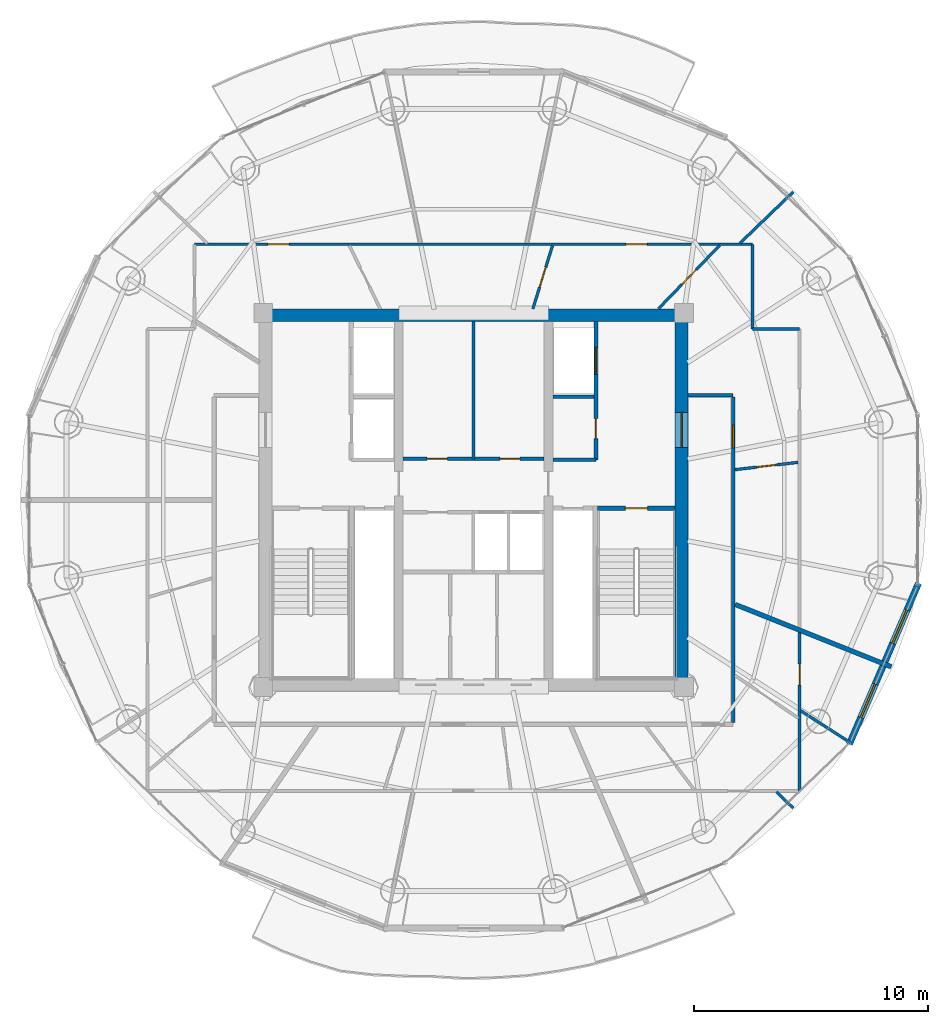
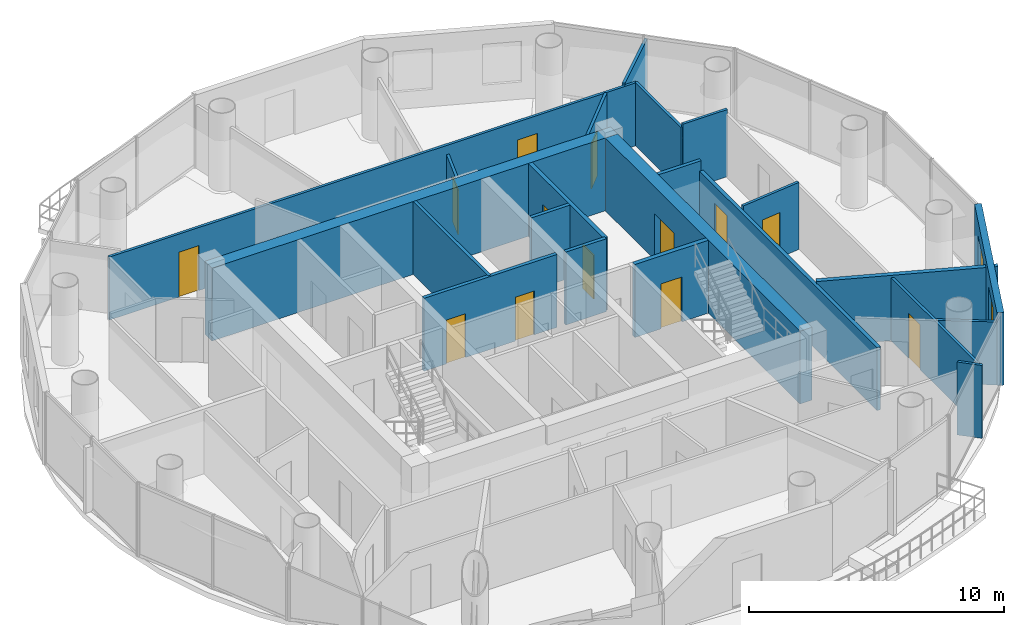
# One storey, part 20 of 24: 22 walls, 13 doors, 2 windows, 15 openings.
"""IFC4 building model written with IfcOpenShell, lengths in metres."""

from ifc_helpers import new_model, si_unit, direction, frame, frame_2d, origin, place, context, subcontext, project, spatial, rectangle, extrude, source, transform, mapped, material, layer, layer_set, type_object, element, fill, save


model = new_model("IFC4")

# Units and contexts
model_context = context("Model", 3, precision=1e-05, world=origin(), true_north=direction((-0.2419218956, 0.970295726276)))
body_context = subcontext(model_context, "Body", "Model", "MODEL_VIEW")
ifc_project = project(units=[si_unit("LENGTHUNIT", "METRE"), si_unit("AREAUNIT", "SQUARE_METRE"), si_unit("VOLUMEUNIT", "CUBIC_METRE"), si_unit("PLANEANGLEUNIT", "RADIAN"), si_unit("MASSUNIT", "GRAM", prefix="KILO")], contexts=[model_context])

# Site, building, storey
site_placement = place(None, origin())
site = spatial("IfcSite", under=ifc_project, at=site_placement, CompositionType="ELEMENT")
building_placement = place(site_placement, origin())
building = spatial("IfcBuilding", under=site, at=building_placement, Name="Cobrevalo Terracotta Tower", CompositionType="ELEMENT")
storey_placement = place(building_placement, frame((0.0, 0.0, 270.699951171875)))
storey = spatial("IfcBuildingStorey", under=building, at=storey_placement, Name="L71", CompositionType="ELEMENT", Elevation=270.699951171875)

# Wall
ifc_material_1 = material(Name="Concrete C50", Category="concrete")
ifc_layer_1 = layer(ifc_material_1, 0.550048828125)
ifc_layer_set_1 = layer_set([ifc_layer_1], Name="Concrete C50")
wall_type_1 = type_object("IfcWallType", Name="Core shear wall 550 mm Concrete C50", PredefinedType="SHEAR", material=ifc_layer_set_1)
wall_1_placement = place(storey_placement, frame((28.824951171875, 34.699951171875, 0.0), z_axis=(0.0, 0.0, 1.0), x_axis=(1.0, 0.0, 0.0)))
element("IfcWall", 1, at=wall_1_placement, inside=storey, type_object=wall_type_1, Name="L71 north core shear wall", PredefinedType="SHEAR", context=body_context, shape_type="SweptSolid", body=[
    extrude(rectangle(XDim=18.35009765625, YDim=0.550048828125, at=frame_2d((9.175048828125, 0.0))), origin(), (0.0, 0.0, 1.0), 3.489990234375),
])

# Wall, opening, door
wall_2_placement = place(storey_placement, frame((46.89990234375, 19.175048828125, 0.0), z_axis=(0.0, 0.0, 1.0), x_axis=(0.0, 1.0, 0.0)))
wall_2 = element("IfcWall", 2, at=wall_2_placement, inside=storey, type_object=wall_type_1, Name="L71 east core shear wall", PredefinedType="SHEAR", context=body_context, shape_type="SweptSolid", body=[
    extrude(rectangle(XDim=15.25, YDim=0.550048828125, at=frame_2d((7.625, 0.0))), origin(), (0.0, 0.0, 1.0), 3.489990234375),
])
opening_1_placement = place(wall_2_placement, frame((9.875, 0.0, 0.0)))
opening_1 = element("IfcOpeningElement", 3, at=opening_1_placement, cuts=wall_2, Name="Opening ID-14", PredefinedType="OPENING", context=body_context, shape_type="SweptSolid", body=[
    extrude(rectangle(XDim=1.5, YDim=2.199951171875, at=frame_2d((0.75, 1.10009765625))), frame((0.0, 0.28515625, 0.0), z_axis=(0.0, -1.0, 0.0), x_axis=(1.0, 0.0, 0.0)), (0.0, 0.0, 1.0), 0.570068359375),
])
ifc_material_2 = material(Name="Galvanized fire-rated steel", Category="steel")
door_type_1 = type_object("IfcDoorType", Name="Core cross-lobby double fire door 1500x2200 EI 90", OperationType="NOTDEFINED", PredefinedType="DOOR", material=ifc_material_2)
shared_shape_1 = source(origin(), body_context, "Body", "SweptSolid", [
    extrude(rectangle(XDim=1.5, YDim=2.199951171875, at=frame_2d((0.75, 1.10009765625))), frame((0.0, 0.02490234375, 0.0), z_axis=(0.0, -1.0, 0.0), x_axis=(1.0, 0.0, 0.0)), (0.0, 0.0, 1.0), 0.050048828125),
])
door_1_placement = place(opening_1_placement, frame((1.5, 0.0, 0.0), z_axis=(0.0, 0.0, 1.0), x_axis=(-1.0, 0.0, 0.0)))
door_1 = element("IfcDoor", 4, at=door_1_placement, inside=storey, type_object=door_type_1, Name="L71 east firefighting lobby entrance door", OperationType="DOUBLE_DOOR_SINGLE_SWING", OverallHeight=2.199951171875, OverallWidth=1.5, PredefinedType="DOOR", context=body_context, shape_type="MappedRepresentation", body=[
    mapped(shared_shape_1, transform((0.0, 0.0, 0.0), scale=1.0)),
])
fill(opening_1, door_1)

# Walls
ifc_material_3 = material(Name="Gypsum board on steel stud", Category="steel")
ifc_layer_2 = layer(ifc_material_3, 0.159912109375)
ifc_layer_set_2 = layer_set([ifc_layer_2], Name="Gypsum board on steel stud")
wall_type_2 = type_object("IfcWallType", Name="Fire-rated corridor acoustic partition wall 160 mm", PredefinedType="PARTITIONING", material=ifc_layer_set_2)
wall_3_placement = place(storey_placement, frame((41.389892578125, 31.219970703125, 0.0), z_axis=(0.0, 0.0, 1.0), x_axis=(1.0, 0.0, 0.0)))
element("IfcWall", 5, at=wall_3_placement, inside=storey, type_object=wall_type_2, Name="L71 interior partition IW-L71-FF2-M", PredefinedType="PARTITIONING", context=body_context, shape_type="SweptSolid", body=[
    extrude(rectangle(XDim=1.75, YDim=0.159912109375, at=frame_2d((0.875, 0.0))), origin(), (0.0, 0.0, 1.0), 3.489990234375),
])
wall_4_placement = place(storey_placement, frame((41.389892578125, 28.52001953125, 0.0), z_axis=(0.0, 0.0, 1.0), x_axis=(1.0, 0.0, 0.0)))
element("IfcWall", 6, at=wall_4_placement, inside=storey, type_object=wall_type_2, Name="L71 interior partition IW-L71-FF2-S", PredefinedType="PARTITIONING", context=body_context, shape_type="SweptSolid", body=[
    extrude(rectangle(XDim=1.840087890625, YDim=0.159912109375, at=frame_2d((0.919921875, 0.0))), origin(), (0.0, 0.0, 1.0), 3.489990234375),
])

# Wall, openings, doors
wall_5_placement = place(storey_placement, frame((34.989990234375, 28.56005859375, 0.0), z_axis=(0.0, 0.0, 1.0), x_axis=(1.0, 0.0, 0.0)))
wall_5 = element("IfcWall", 7, at=wall_5_placement, inside=storey, type_object=wall_type_2, Name="L71 interior partition IW-L71-LB-S", PredefinedType="PARTITIONING", context=body_context, shape_type="SweptSolid", body=[
    extrude(rectangle(XDim=6.02001953125, YDim=0.159912109375, at=frame_2d((3.010009765625, 0.0))), origin(), (0.0, 0.0, 1.0), 3.489990234375),
])
opening_2_placement = place(wall_5_placement, frame((1.02490234375, 0.0, 0.0)))
opening_2 = element("IfcOpeningElement", 8, at=opening_2_placement, cuts=wall_5, Name="Opening ID-07", PredefinedType="OPENING", context=body_context, shape_type="SweptSolid", body=[
    extrude(rectangle(XDim=0.860107421875, YDim=2.10009765625, at=frame_2d((0.43017578125, 1.050048828125))), frame((0.0, 0.08984375, 0.0), z_axis=(0.0, -1.0, 0.0), x_axis=(1.0, 0.0, 0.0)), (0.0, 0.0, 1.0), 0.179931640625),
])
opening_3_placement = place(wall_5_placement, frame((4.139892578125, 0.0, 0.0)))
opening_3 = element("IfcOpeningElement", 9, at=opening_3_placement, cuts=wall_5, Name="Opening ID-22", PredefinedType="OPENING", context=body_context, shape_type="SweptSolid", body=[
    extrude(rectangle(XDim=0.85009765625, YDim=2.10009765625, at=frame_2d((0.425048828125, 1.050048828125))), frame((0.0, 0.08984375, 0.0), z_axis=(0.0, -1.0, 0.0), x_axis=(1.0, 0.0, 0.0)), (0.0, 0.0, 1.0), 0.179931640625),
])
ifc_material_4 = material(Name="Powder-coated steel", Category="steel")
door_type_2 = type_object("IfcDoorType", Name="Riser shaft & meter closet fire access door 850x2100 EI 60", OperationType="NOTDEFINED", PredefinedType="DOOR", material=ifc_material_4)
shared_shape_2 = source(origin(), body_context, "Body", "SweptSolid", [
    extrude(rectangle(XDim=0.85009765625, YDim=2.10009765625, at=frame_2d((0.425048828125, 1.050048828125))), frame((0.0, 0.02490234375, 0.0), z_axis=(0.0, -1.0, 0.0), x_axis=(1.0, 0.0, 0.0)), (0.0, 0.0, 1.0), 0.050048828125),
])
door_2_placement = place(opening_3_placement, origin())
door_2 = element("IfcDoor", 10, at=door_2_placement, inside=storey, type_object=door_type_2, Name="L71 core service door Floor Telecom and Metering Plant", OperationType="SINGLE_SWING_RIGHT", OverallHeight=2.10009765625, OverallWidth=0.85009765625, PredefinedType="DOOR", context=body_context, shape_type="MappedRepresentation", body=[
    mapped(shared_shape_2, transform((0.0, 0.0, 0.0), scale=1.0)),
])
fill(opening_3, door_2)
ifc_material_5 = material(Name="Fire-rated moisture-sealed timber", Category="wood")
door_type_3 = type_object("IfcDoorType", Name="Core & podium fire-rated accessible WC door 860x2100 EI 60", OperationType="NOTDEFINED", PredefinedType="DOOR", material=ifc_material_5)
shared_shape_3 = source(origin(), body_context, "Body", "SweptSolid", [
    extrude(rectangle(XDim=0.860107421875, YDim=2.10009765625, at=frame_2d((0.43017578125, 1.050048828125))), frame((0.0, 0.02490234375, 0.0), z_axis=(0.0, -1.0, 0.0), x_axis=(1.0, 0.0, 0.0)), (0.0, 0.0, 1.0), 0.050048828125),
])
door_3_placement = place(opening_2_placement, origin())
door_3 = element("IfcDoor", 11, at=door_3_placement, inside=storey, type_object=door_type_3, Name="L71 core service door Core Accessible Toilet WC", OperationType="SINGLE_SWING_LEFT", OverallHeight=2.10009765625, OverallWidth=0.860107421875, PredefinedType="DOOR", context=body_context, shape_type="MappedRepresentation", body=[
    mapped(shared_shape_3, transform((0.0, 0.0, 0.0), scale=1.0)),
])
fill(opening_2, door_3)

# Wall, opening, door
wall_6_placement = place(storey_placement, frame((49.10498046875, 17.27490234375, 0.0), z_axis=(0.0, 0.0, 1.0), x_axis=(0.0, 1.0, 0.0)))
wall_6 = element("IfcWall", 12, at=wall_6_placement, inside=storey, type_object=wall_type_2, Name="L71 interior partition IW-L71-COR-E", PredefinedType="PARTITIONING", context=body_context, shape_type="SweptSolid", body=[
    extrude(rectangle(XDim=13.925048828125, YDim=0.159912109375, at=frame_2d((6.96240234375, 0.0))), origin(), (0.0, 0.0, 1.0), 3.01513671875),
])
opening_4_placement = place(wall_6_placement, frame((11.749755859375, 0.0, 0.0)))
opening_4 = element("IfcOpeningElement", 13, at=opening_4_placement, cuts=wall_6, Name="Opening ID-05", PredefinedType="OPENING", context=body_context, shape_type="SweptSolid", body=[
    extrude(rectangle(XDim=0.97998046875, YDim=2.199951171875, at=frame_2d((0.489990234375, 1.10009765625))), frame((0.0, 0.08984375, 0.0), z_axis=(0.0, -1.0, 0.0), x_axis=(1.0, 0.0, 0.0)), (0.0, 0.0, 1.0), 0.179931640625),
])
ifc_material_6 = material(Name="Solid hardwood timber", Category="wood")
door_type_4 = type_object("IfcDoorType", Name="Residence entrance fire-rated acoustic timber door 980x2200 EI 60", OperationType="NOTDEFINED", PredefinedType="DOOR", material=ifc_material_6)
shared_shape_4 = source(origin(), body_context, "Body", "SweptSolid", [
    extrude(rectangle(XDim=0.97998046875, YDim=2.199951171875, at=frame_2d((0.489990234375, 1.10009765625))), frame((0.0, 0.02490234375, 0.0), z_axis=(0.0, -1.0, 0.0), x_axis=(1.0, 0.0, 0.0)), (0.0, 0.0, 1.0), 0.050048828125),
])
door_4_placement = place(opening_4_placement, frame((0.97998046875, 0.0, 0.0), z_axis=(0.0, 0.0, 1.0), x_axis=(-1.0, 0.0, 0.0)))
door_4 = element("IfcDoor", 14, at=door_4_placement, inside=storey, type_object=door_type_4, Name="Flat L71A fire-rated apartment entrance door", OperationType="SINGLE_SWING_RIGHT", OverallHeight=2.199951171875, OverallWidth=0.97998046875, PredefinedType="DOOR", context=body_context, shape_type="MappedRepresentation", body=[
    mapped(shared_shape_4, transform((0.0, 0.0, 0.0), scale=1.0)),
])
fill(opening_4, door_4)

# Wall
wall_7_placement = place(storey_placement, frame((47.175048828125, 31.280029296875, 0.0), z_axis=(0.0, 0.0, 1.0), x_axis=(1.0, 0.0, 0.0)))
element("IfcWall", 15, at=wall_7_placement, inside=storey, type_object=wall_type_2, Name="L71 interior partition IW-L71-COR-EN-CAP", PredefinedType="PARTITIONING", context=body_context, shape_type="SweptSolid", body=[
    extrude(rectangle(XDim=1.929931640625, YDim=0.159912109375, at=frame_2d((0.96484375, 0.0))), origin(), (0.0, 0.0, 1.0), 3.489990234375),
])

# Wall, openings, doors
ifc_layer_3 = layer(ifc_material_3, 0.179931640625)
ifc_layer_set_3 = layer_set([ifc_layer_3], Name="Gypsum board on steel stud")
wall_type_3 = type_object("IfcWallType", Name="Fire-rated shaft & lobby acoustic partition wall 180 mm", PredefinedType="PARTITIONING", material=ifc_layer_set_3)
wall_8_placement = place(storey_placement, frame((43.22998046875, 28.52001953125, 0.0), z_axis=(0.0, 0.0, 1.0), x_axis=(0.0, 1.0, 0.0)))
wall_8 = element("IfcWall", 16, at=wall_8_placement, inside=storey, type_object=wall_type_3, Name="L71 interior partition IW-L71-FF2-E", PredefinedType="PARTITIONING", context=body_context, shape_type="SweptSolid", body=[
    extrude(rectangle(XDim=5.905029296875, YDim=0.179931640625, at=frame_2d((2.95263671875, 0.0))), origin(), (0.0, 0.0, 1.0), 3.489990234375),
])
opening_5_placement = place(wall_8_placement, frame((0.905029296875, 0.0, 0.0)))
opening_5 = element("IfcOpeningElement", 17, at=opening_5_placement, cuts=wall_8, Name="Opening ID-22", PredefinedType="OPENING", context=body_context, shape_type="SweptSolid", body=[
    extrude(rectangle(XDim=0.85009765625, YDim=2.10009765625, at=frame_2d((0.425048828125, 1.050048828125))), frame((0.0, 0.10009765625, 0.0), z_axis=(0.0, -1.0, 0.0), x_axis=(1.0, 0.0, 0.0)), (0.0, 0.0, 1.0), 0.199951171875),
])
opening_6_placement = place(wall_8_placement, frame((3.655029296875, 0.0, 0.0)))
opening_6 = element("IfcOpeningElement", 18, at=opening_6_placement, cuts=wall_8, Name="Opening LD-02", PredefinedType="OPENING", context=body_context, shape_type="SweptSolid", body=[
    extrude(rectangle(XDim=1.14990234375, YDim=2.199951171875, at=frame_2d((0.574951171875, 1.10009765625))), frame((0.0, 0.10009765625, 0.0), z_axis=(0.0, -1.0, 0.0), x_axis=(1.0, 0.0, 0.0)), (0.0, 0.0, 1.0), 0.199951171875),
])
door_5_placement = place(opening_5_placement, frame((0.85009765625, 0.0, 0.0), z_axis=(0.0, 0.0, 1.0), x_axis=(-1.0, 0.0, 0.0)))
door_5 = element("IfcDoor", 19, at=door_5_placement, inside=storey, type_object=door_type_2, Name="L71 housekeeping store door", OperationType="SINGLE_SWING_RIGHT", OverallHeight=2.10009765625, OverallWidth=0.85009765625, PredefinedType="DOOR", context=body_context, shape_type="MappedRepresentation", body=[
    mapped(shared_shape_2, transform((0.0, 0.0, 0.0), scale=1.0)),
])
fill(opening_5, door_5)
ifc_material_7 = material(Name="Brushed stainless steel", Category="steel")
door_type_5 = type_object("IfcDoorType", Name="Firefighting lift landing bi-parting sliding door 1150x2200 EI 120", OperationType="DOUBLE_DOOR_SLIDING", PredefinedType="DOOR", material=ifc_material_7)
shared_shape_5 = source(origin(), body_context, "Body", "SweptSolid", [
    extrude(rectangle(XDim=1.14990234375, YDim=2.199951171875, at=frame_2d((0.574951171875, 1.10009765625))), frame((0.0, 0.02490234375, 0.0), z_axis=(0.0, -1.0, 0.0), x_axis=(1.0, 0.0, 0.0)), (0.0, 0.0, 1.0), 0.050048828125),
])
door_6_placement = place(opening_6_placement, origin())
door_6 = element("IfcDoor", 20, at=door_6_placement, inside=storey, type_object=door_type_5, Name="L71 lift landing door FF-2", OperationType="DOUBLE_DOOR_SLIDING", OverallHeight=2.199951171875, OverallWidth=1.14990234375, PredefinedType="DOOR", context=body_context, shape_type="MappedRepresentation", body=[
    mapped(shared_shape_5, transform((0.0, 0.0, 0.0), scale=1.0)),
])
fill(opening_6, door_6)

# Wall
ifc_material_8 = material(Name="Autoclaved aerated concrete block", Category="concrete")
ifc_layer_4 = layer(ifc_material_8, 0.199951171875)
ifc_layer_set_4 = layer_set([ifc_layer_4], Name="Autoclaved aerated concrete block")
wall_type_4 = type_object("IfcWallType", Name="Fire-rated stair, shaft & demising masonry wall 200 mm", PredefinedType="PARTITIONING", material=ifc_layer_set_4)
wall_9_placement = place(storey_placement, frame((49.18505859375, 22.334228515625, 0.0), z_axis=(0.0, 0.0, 1.0), x_axis=(0.928710518269, -0.370805573389, 0.0)))
element("IfcWall", 21, at=wall_9_placement, inside=storey, type_object=wall_type_4, Name="L71 interior partition IW-L71-DEM-1", PredefinedType="PARTITIONING", context=body_context, shape_type="SweptSolid", body=[
    extrude(rectangle(XDim=7.195068359375, YDim=0.199951171875, at=frame_2d((3.59765625, 0.0))), origin(), (0.0, 0.0, 1.0), 3.12109375),
])

# Wall, openings, windows
ifc_layer_5 = layer(ifc_material_8, 0.280029296875)
ifc_layer_set_5 = layer_set([ifc_layer_5], Name="Autoclaved aerated concrete block")
wall_type_5 = type_object("IfcWallType", Name="Insulated tower spandrel & pier wall 280 mm with terracotta rainscreen", PredefinedType="SOLIDWALL", material=ifc_layer_set_5)
wall_10_placement = place(storey_placement, frame((54.073974609375, 16.35400390625, 0.0), z_axis=(0.0, 0.0, 1.0), x_axis=(0.394816612978, 0.918759948037, 0.0)))
wall_10 = element("IfcWall", 22, at=wall_10_placement, inside=storey, type_object=wall_type_5, Name="L71 terracotta rainscreen pier wall S15", PredefinedType="SOLIDWALL", context=body_context, shape_type="SweptSolid", body=[
    extrude(rectangle(XDim=7.4853515625, YDim=0.280029296875, at=frame_2d((3.74267578125, 0.0))), origin(), (0.0, 0.0, 1.0), 3.489990234375),
])
opening_7_placement = place(wall_10_placement, frame((1.24609375, 0.0, 0.85009765625)))
opening_7 = element("IfcOpeningElement", 23, at=opening_7_placement, cuts=wall_10, Name="Opening WN-12", PredefinedType="OPENING", context=body_context, shape_type="SweptSolid", body=[
    extrude(rectangle(XDim=1.550048828125, YDim=1.949951171875, at=frame_2d((0.77490234375, 0.97509765625))), frame((0.0, 0.14990234375, 0.0), z_axis=(0.0, -1.0, 0.0), x_axis=(1.0, 0.0, 0.0)), (0.0, 0.0, 1.0), 0.300048828125),
])
opening_8_placement = place(wall_10_placement, frame((4.689208984375, 0.0, 0.85009765625)))
opening_8 = element("IfcOpeningElement", 24, at=opening_8_placement, cuts=wall_10, Name="Opening WN-12", PredefinedType="OPENING", context=body_context, shape_type="SweptSolid", body=[
    extrude(rectangle(XDim=1.550048828125, YDim=1.949951171875, at=frame_2d((0.77490234375, 0.97509765625))), frame((0.0, 0.14990234375, 0.0), z_axis=(0.0, -1.0, 0.0), x_axis=(1.0, 0.0, 0.0)), (0.0, 0.0, 1.0), 0.300048828125),
])
ifc_material_9 = material(Name="Solar-control low-E double glazing", Category="glass")
window_type = type_object("IfcWindowType", Name="Solar-control low-E aluminium window 1550x1950", PartitioningType="SINGLE_PANEL", PredefinedType="WINDOW", material=ifc_material_9)
shared_shape_6 = source(origin(), body_context, "Body", "SweptSolid", [
    extrude(rectangle(XDim=1.550048828125, YDim=1.949951171875, at=frame_2d((0.77490234375, 0.97509765625))), frame((0.0, 0.030029296875, 0.0), z_axis=(0.0, -1.0, 0.0), x_axis=(1.0, 0.0, 0.0)), (0.0, 0.0, 1.0), 0.06005859375),
])
window_1_placement = place(opening_7_placement, origin())
window_1 = element("IfcWindow", 25, at=window_1_placement, inside=storey, type_object=window_type, Name="L71 suite window S15A", OverallHeight=1.949951171875, OverallWidth=1.550048828125, PartitioningType="SINGLE_PANEL", PredefinedType="WINDOW", context=body_context, shape_type="MappedRepresentation", body=[
    mapped(shared_shape_6, transform((0.0, 0.0, 0.0), scale=1.0)),
])
fill(opening_7, window_1)
window_2_placement = place(opening_8_placement, origin())
window_2 = element("IfcWindow", 26, at=window_2_placement, inside=storey, type_object=window_type, Name="L71 suite window S15B", OverallHeight=1.949951171875, OverallWidth=1.550048828125, PartitioningType="SINGLE_PANEL", PredefinedType="WINDOW", context=body_context, shape_type="MappedRepresentation", body=[
    mapped(shared_shape_6, transform((0.0, 0.0, 0.0), scale=1.0)),
])
fill(opening_8, window_2)

# Wall
ifc_layer_6 = layer(ifc_material_8, 0.139892578125)
ifc_layer_set_6 = layer_set([ifc_layer_6], Name="Autoclaved aerated concrete block")
wall_type_6 = type_object("IfcWallType", Name="Moisture-resistant wet-room & core service partition 140 mm", PredefinedType="PARTITIONING", material=ifc_layer_set_6)
wall_11_placement = place(storey_placement, frame((38.0, 28.56005859375, 0.0), z_axis=(0.0, 0.0, 1.0), x_axis=(0.0, 1.0, 0.0)))
element("IfcWall", 27, at=wall_11_placement, inside=storey, type_object=wall_type_6, Name="L71 interior partition IW-L71-KVN-1", PredefinedType="PARTITIONING", context=body_context, shape_type="SweptSolid", body=[
    extrude(rectangle(XDim=5.864990234375, YDim=0.139892578125, at=frame_2d((2.9326171875, 0.0))), origin(), (0.0, 0.0, 1.0), 3.489990234375),
])

# Wall, openings, doors
ifc_layer_7 = layer(ifc_material_3, 0.1201171875)
ifc_layer_set_7 = layer_set([ifc_layer_7], Name="Gypsum board on steel stud")
wall_type_7 = type_object("IfcWallType", Name="Residential internal acoustic stud partition 120 mm", PredefinedType="PARTITIONING", material=ifc_layer_set_7)
wall_12_placement = place(storey_placement, frame((26.06494140625, 37.735107421875, 0.0), z_axis=(0.0, 0.0, 1.0), x_axis=(1.0, 0.0, 0.0)))
wall_12 = element("IfcWall", 28, at=wall_12_placement, inside=storey, type_object=wall_type_7, Name="L71 interior partition IW-L71-U1-RING3_0", PredefinedType="PARTITIONING", context=body_context, shape_type="SweptSolid", body=[
    extrude(rectangle(XDim=23.8701171875, YDim=0.1201171875, at=frame_2d((11.93505859375, 0.0))), origin(), (0.0, 0.0, 1.0), 3.01513671875),
])
opening_9_placement = place(wall_12_placement, frame((18.46044921875, 0.0, 0.0)))
opening_9 = element("IfcOpeningElement", 29, at=opening_9_placement, cuts=wall_12, Name="Opening ID-12", PredefinedType="OPENING", context=body_context, shape_type="SweptSolid", body=[
    extrude(rectangle(XDim=0.89990234375, YDim=2.14990234375, at=frame_2d((0.449951171875, 1.074951171875))), frame((0.0, 0.070068359375, 0.0), z_axis=(0.0, -1.0, 0.0), x_axis=(1.0, 0.0, 0.0)), (0.0, 0.0, 1.0), 0.14013671875),
])
opening_10_placement = place(wall_12_placement, frame((3.144287109375, 0.0, 0.0)))
opening_10 = element("IfcOpeningElement", 30, at=opening_10_placement, cuts=wall_12, Name="Opening ID-12", PredefinedType="OPENING", context=body_context, shape_type="SweptSolid", body=[
    extrude(rectangle(XDim=0.89990234375, YDim=2.14990234375, at=frame_2d((0.449951171875, 1.074951171875))), frame((0.0, 0.070068359375, 0.0), z_axis=(0.0, -1.0, 0.0), x_axis=(1.0, 0.0, 0.0)), (0.0, 0.0, 1.0), 0.14013671875),
])
ifc_material_10 = material(Name="Engineered timber", Category="wood")
door_type_6 = type_object("IfcDoorType", Name="Internal residence & suite timber door 900x2150", OperationType="NOTDEFINED", PredefinedType="DOOR", material=ifc_material_10)
shared_shape_7 = source(origin(), body_context, "Body", "SweptSolid", [
    extrude(rectangle(XDim=0.89990234375, YDim=2.14990234375, at=frame_2d((0.449951171875, 1.074951171875))), frame((0.0, 0.02490234375, 0.0), z_axis=(0.0, -1.0, 0.0), x_axis=(1.0, 0.0, 0.0)), (0.0, 0.0, 1.0), 0.050048828125),
])
door_7_placement = place(opening_9_placement, origin())
door_7 = element("IfcDoor", 31, at=door_7_placement, inside=storey, type_object=door_type_6, Name="Flat L71A Master Bedroom internal door", OperationType="SINGLE_SWING_LEFT", OverallHeight=2.14990234375, OverallWidth=0.89990234375, PredefinedType="DOOR", context=body_context, shape_type="MappedRepresentation", body=[
    mapped(shared_shape_7, transform((0.0, 0.0, 0.0), scale=1.0)),
])
fill(opening_9, door_7)
door_8_placement = place(opening_10_placement, origin())
door_8 = element("IfcDoor", 32, at=door_8_placement, inside=storey, type_object=door_type_6, Name="Flat L71A Penthouse Family Lounge internal door", OperationType="SINGLE_SWING_LEFT", OverallHeight=2.14990234375, OverallWidth=0.89990234375, PredefinedType="DOOR", context=body_context, shape_type="MappedRepresentation", body=[
    mapped(shared_shape_7, transform((0.0, 0.0, 0.0), scale=1.0)),
])
fill(opening_10, door_8)

# Walls
wall_13_placement = place(storey_placement, frame((49.93505859375, 37.735107421875, 0.0), z_axis=(0.0, 0.0, 1.0), x_axis=(0.0, -1.0, 0.0)))
element("IfcWall", 33, at=wall_13_placement, inside=storey, type_object=wall_type_7, Name="L71 interior partition IW-L71-U1-RING4_0", PredefinedType="PARTITIONING", context=body_context, shape_type="SweptSolid", body=[
    extrude(rectangle(XDim=3.614990234375, YDim=0.1201171875, at=frame_2d((1.8076171875, 0.0))), origin(), (0.0, 0.0, 1.0), 3.01513671875),
])
wall_14_placement = place(storey_placement, frame((49.93505859375, 34.1201171875, 0.0), z_axis=(0.0, 0.0, 1.0), x_axis=(1.0, 0.0, 0.0)))
element("IfcWall", 34, at=wall_14_placement, inside=storey, type_object=wall_type_7, Name="L71 interior partition IW-L71-U1-RING5_0", PredefinedType="PARTITIONING", context=body_context, shape_type="SweptSolid", body=[
    extrude(rectangle(XDim=2.010009765625, YDim=0.1201171875, at=frame_2d((1.0048828125, 0.0))), origin(), (0.0, 0.0, 1.0), 3.208984375),
])
wall_15_placement = place(storey_placement, frame((49.388916015625, 37.778076171875, 0.0), z_axis=(0.0, 0.0, 1.0), x_axis=(0.719985652574, 0.693988948102, 0.0)))
element("IfcWall", 35, at=wall_15_placement, inside=storey, type_object=wall_type_7, Name="L71 interior partition IW-L71-U1-ORAD1", PredefinedType="PARTITIONING", context=body_context, shape_type="SweptSolid", body=[
    extrude(rectangle(XDim=3.17431640625, YDim=0.1201171875, at=frame_2d((1.587158203125, 0.0))), origin(), (0.0, 0.0, 1.0), 3.12109375),
])

# Wall, opening, door
wall_16_placement = place(storey_placement, frame((49.18505859375, 28.09765625, 0.0), z_axis=(0.0, 0.0, 1.0), x_axis=(0.993339475655, 0.115224503057, 0.0)))
wall_16 = element("IfcWall", 36, at=wall_16_placement, inside=storey, type_object=wall_type_7, Name="L71 interior partition IW-L71-U1-IRAD1", PredefinedType="PARTITIONING", context=body_context, shape_type="SweptSolid", body=[
    extrude(rectangle(XDim=2.71630859375, YDim=0.1201171875, at=frame_2d((1.358154296875, 0.0))), origin(), (0.0, 0.0, 1.0), 3.208984375),
])
opening_11_placement = place(wall_16_placement, frame((0.92822265625, 0.0, 0.0)))
opening_11 = element("IfcOpeningElement", 37, at=opening_11_placement, cuts=wall_16, Name="Opening ID-19", PredefinedType="OPENING", context=body_context, shape_type="SweptSolid", body=[
    extrude(rectangle(XDim=0.860107421875, YDim=2.14990234375, at=frame_2d((0.43017578125, 1.074951171875))), frame((0.0, 0.070068359375, 0.0), z_axis=(0.0, -1.0, 0.0), x_axis=(1.0, 0.0, 0.0)), (0.0, 0.0, 1.0), 0.14013671875),
])
ifc_material_11 = material(Name="Moisture-sealed timber", Category="wood")
door_type_7 = type_object("IfcDoorType", Name="Suite bathroom internal timber door 860x2150", OperationType="NOTDEFINED", PredefinedType="DOOR", material=ifc_material_11)
shared_shape_8 = source(origin(), body_context, "Body", "SweptSolid", [
    extrude(rectangle(XDim=0.860107421875, YDim=2.14990234375, at=frame_2d((0.43017578125, 1.074951171875))), frame((0.0, 0.02490234375, 0.0), z_axis=(0.0, -1.0, 0.0), x_axis=(1.0, 0.0, 0.0)), (0.0, 0.0, 1.0), 0.050048828125),
])
door_9_placement = place(opening_11_placement, frame((0.860107421875, 0.0, 0.0), z_axis=(0.0, 0.0, 1.0), x_axis=(-1.0, 0.0, 0.0)))
door_9 = element("IfcDoor", 38, at=door_9_placement, inside=storey, type_object=door_type_7, Name="Flat L71A Primary Bathroom internal door", OperationType="SINGLE_SWING_LEFT", OverallHeight=2.14990234375, OverallWidth=0.860107421875, PredefinedType="DOOR", context=body_context, shape_type="MappedRepresentation", body=[
    mapped(shared_shape_8, transform((0.0, 0.0, 0.0), scale=1.0)),
])
fill(opening_11, door_9)

wall_17_placement = place(storey_placement, frame((45.903076171875, 34.976318359375, 0.0), z_axis=(0.0, 0.0, 1.0), x_axis=(0.69497417129, 0.719034700999, 0.0)))
wall_17 = element("IfcWall", 39, at=wall_17_placement, inside=storey, type_object=wall_type_7, Name="L71 interior partition IW-L71-U1-IRAD2", PredefinedType="PARTITIONING", context=body_context, shape_type="SweptSolid", body=[
    extrude(rectangle(XDim=3.774658203125, YDim=0.1201171875, at=frame_2d((1.88720703125, 0.0))), origin(), (0.0, 0.0, 1.0), 3.01513671875),
])
opening_12_placement = place(wall_17_placement, frame((1.437255859375, 0.0, 0.0)))
opening_12 = element("IfcOpeningElement", 40, at=opening_12_placement, cuts=wall_17, Name="Opening ID-12", PredefinedType="OPENING", context=body_context, shape_type="SweptSolid", body=[
    extrude(rectangle(XDim=0.89990234375, YDim=2.14990234375, at=frame_2d((0.449951171875, 1.074951171875))), frame((0.0, 0.070068359375, 0.0), z_axis=(0.0, -1.0, 0.0), x_axis=(1.0, 0.0, 0.0)), (0.0, 0.0, 1.0), 0.14013671875),
])
door_10_placement = place(opening_12_placement, origin())
door_10 = element("IfcDoor", 41, at=door_10_placement, inside=storey, type_object=door_type_6, Name="Flat L71A Kitchen internal door", OperationType="SINGLE_SWING_LEFT", OverallHeight=2.14990234375, OverallWidth=0.89990234375, PredefinedType="DOOR", context=body_context, shape_type="MappedRepresentation", body=[
    mapped(shared_shape_7, transform((0.0, 0.0, 0.0), scale=1.0)),
])
fill(opening_12, door_10)

wall_18_placement = place(storey_placement, frame((40.536865234375, 34.976806640625, 0.0), z_axis=(0.0, 0.0, 1.0), x_axis=(0.29633127961, 0.95508521752, 0.0)))
wall_18 = element("IfcWall", 42, at=wall_18_placement, inside=storey, type_object=wall_type_7, Name="L71 interior partition IW-L71-U1-IRAD3", PredefinedType="PARTITIONING", context=body_context, shape_type="SweptSolid", body=[
    extrude(rectangle(XDim=2.825927734375, YDim=0.1201171875, at=frame_2d((1.4130859375, 0.0))), origin(), (0.0, 0.0, 1.0), 2.574951171875),
])
opening_13_placement = place(wall_18_placement, frame((0.962890625, 0.0, 0.0)))
opening_13 = element("IfcOpeningElement", 43, at=opening_13_placement, cuts=wall_18, Name="Opening ID-12", PredefinedType="OPENING", context=body_context, shape_type="SweptSolid", body=[
    extrude(rectangle(XDim=0.89990234375, YDim=2.14990234375, at=frame_2d((0.449951171875, 1.074951171875))), frame((0.0, 0.070068359375, 0.0), z_axis=(0.0, -1.0, 0.0), x_axis=(1.0, 0.0, 0.0)), (0.0, 0.0, 1.0), 0.14013671875),
])
door_11_placement = place(opening_13_placement, origin())
door_11 = element("IfcDoor", 44, at=door_11_placement, inside=storey, type_object=door_type_6, Name="Flat L71A Private Library Meeting Room internal door", OperationType="SINGLE_SWING_RIGHT", OverallHeight=2.14990234375, OverallWidth=0.89990234375, PredefinedType="DOOR", context=body_context, shape_type="MappedRepresentation", body=[
    mapped(shared_shape_7, transform((0.0, 0.0, 0.0), scale=1.0)),
])
fill(opening_13, door_11)

wall_19_placement = place(storey_placement, frame((51.945068359375, 21.130126953125, 0.0), z_axis=(0.0, 0.0, 1.0), x_axis=(0.0, -1.0, 0.0)))
wall_19 = element("IfcWall", 45, at=wall_19_placement, inside=storey, type_object=wall_type_7, Name="L71 interior partition IW-L71-U4-RING0_0", PredefinedType="PARTITIONING", context=body_context, shape_type="SweptSolid", body=[
    extrude(rectangle(XDim=6.775146484375, YDim=0.1201171875, at=frame_2d((3.3876953125, 0.0))), origin(), (0.0, 0.0, 1.0), 3.01513671875),
])
opening_14_placement = place(wall_19_placement, frame((1.3486328125, 0.0, 0.0)))
opening_14 = element("IfcOpeningElement", 46, at=opening_14_placement, cuts=wall_19, Name="Opening ID-12", PredefinedType="OPENING", context=body_context, shape_type="SweptSolid", body=[
    extrude(rectangle(XDim=0.89990234375, YDim=2.14990234375, at=frame_2d((0.449951171875, 1.074951171875))), frame((0.0, 0.070068359375, 0.0), z_axis=(0.0, -1.0, 0.0), x_axis=(1.0, 0.0, 0.0)), (0.0, 0.0, 1.0), 0.14013671875),
])
door_12_placement = place(opening_14_placement, origin())
door_12 = element("IfcDoor", 47, at=door_12_placement, inside=storey, type_object=door_type_6, Name="Flat L71D Master Bedroom internal door", OperationType="SINGLE_SWING_LEFT", OverallHeight=2.14990234375, OverallWidth=0.89990234375, PredefinedType="DOOR", context=body_context, shape_type="MappedRepresentation", body=[
    mapped(shared_shape_7, transform((0.0, 0.0, 0.0), scale=1.0)),
])
fill(opening_14, door_12)

# Walls
wall_20_placement = place(storey_placement, frame((50.95556640625, 14.31201171875, 0.0), z_axis=(0.0, 0.0, 1.0), x_axis=(0.7199490242, -0.694026946562, 0.0)))
element("IfcWall", 48, at=wall_20_placement, inside=storey, type_object=wall_type_7, Name="L71 interior partition IW-L71-U4-ORAD1", PredefinedType="PARTITIONING", context=body_context, shape_type="SweptSolid", body=[
    extrude(rectangle(XDim=0.998291015625, YDim=0.1201171875, at=frame_2d((0.4990234375, 0.0))), origin(), (0.0, 0.0, 1.0), 3.489990234375),
])
wall_21_placement = place(storey_placement, frame((51.9970703125, 17.784912109375, 0.0), z_axis=(0.0, 0.0, 1.0), x_axis=(0.840715962824, -0.541476379774, 0.0)))
element("IfcWall", 49, at=wall_21_placement, inside=storey, type_object=wall_type_7, Name="L71 interior partition IW-L71-U4-ORAD2", PredefinedType="PARTITIONING", context=body_context, shape_type="SweptSolid", body=[
    extrude(rectangle(XDim=2.43701171875, YDim=0.1201171875, at=frame_2d((1.218505859375, 0.0))), origin(), (0.0, 0.0, 1.0), 3.01513671875),
])

# Wall, opening, door
ifc_layer_8 = layer(ifc_material_1, 0.199951171875)
ifc_layer_set_8 = layer_set([ifc_layer_8], Name="Concrete C50")
wall_type_8 = type_object("IfcWallType", Name="Structural core & podium stair-shaft RC wall 200 mm Concrete C50", PredefinedType="SOLIDWALL", material=ifc_layer_set_8)
wall_22_placement = place(storey_placement, frame((43.304931640625, 26.449951171875, 0.0), z_axis=(0.0, 0.0, 1.0), x_axis=(1.0, 0.0, 0.0)))
wall_22 = element("IfcWall", 50, at=wall_22_placement, inside=storey, type_object=wall_type_8, Name="L71 ST-2 north structural shaft wall", PredefinedType="SOLIDWALL", context=body_context, shape_type="SweptSolid", body=[
    extrude(rectangle(XDim=3.320068359375, YDim=0.199951171875, at=frame_2d((1.66015625, 0.0))), origin(), (0.0, 0.0, 1.0), 3.489990234375),
])
opening_15_placement = place(wall_22_placement, frame((1.18505859375, 0.0, 0.0)))
opening_15 = element("IfcOpeningElement", 51, at=opening_15_placement, cuts=wall_22, Name="Opening ID-04", PredefinedType="OPENING", context=body_context, shape_type="SweptSolid", body=[
    extrude(rectangle(XDim=0.949951171875, YDim=2.14990234375, at=frame_2d((0.47509765625, 1.074951171875))), frame((0.0, 0.10986328125, 0.0), z_axis=(0.0, -1.0, 0.0), x_axis=(1.0, 0.0, 0.0)), (0.0, 0.0, 1.0), 0.219970703125),
])
door_type_8 = type_object("IfcDoorType", Name="Stair & firefighting lobby fire door 950x2150 EI 90", OperationType="NOTDEFINED", PredefinedType="DOOR", material=ifc_material_2)
shared_shape_9 = source(origin(), body_context, "Body", "SweptSolid", [
    extrude(rectangle(XDim=0.949951171875, YDim=2.14990234375, at=frame_2d((0.47509765625, 1.074951171875))), frame((0.0, 0.02490234375, 0.0), z_axis=(0.0, -1.0, 0.0), x_axis=(1.0, 0.0, 0.0)), (0.0, 0.0, 1.0), 0.050048828125),
])
door_13_placement = place(opening_15_placement, frame((0.949951171875, 0.0, 0.0), z_axis=(0.0, 0.0, 1.0), x_axis=(-1.0, 0.0, 0.0)))
door_13 = element("IfcDoor", 52, at=door_13_placement, inside=storey, type_object=door_type_8, Name="L71 protected stair ST2 fire door", OperationType="SINGLE_SWING_RIGHT", OverallHeight=2.14990234375, OverallWidth=0.949951171875, PredefinedType="DOOR", context=body_context, shape_type="MappedRepresentation", body=[
    mapped(shared_shape_9, transform((0.0, 0.0, 0.0), scale=1.0)),
])
fill(opening_15, door_13)

save(model, "model.ifc")
